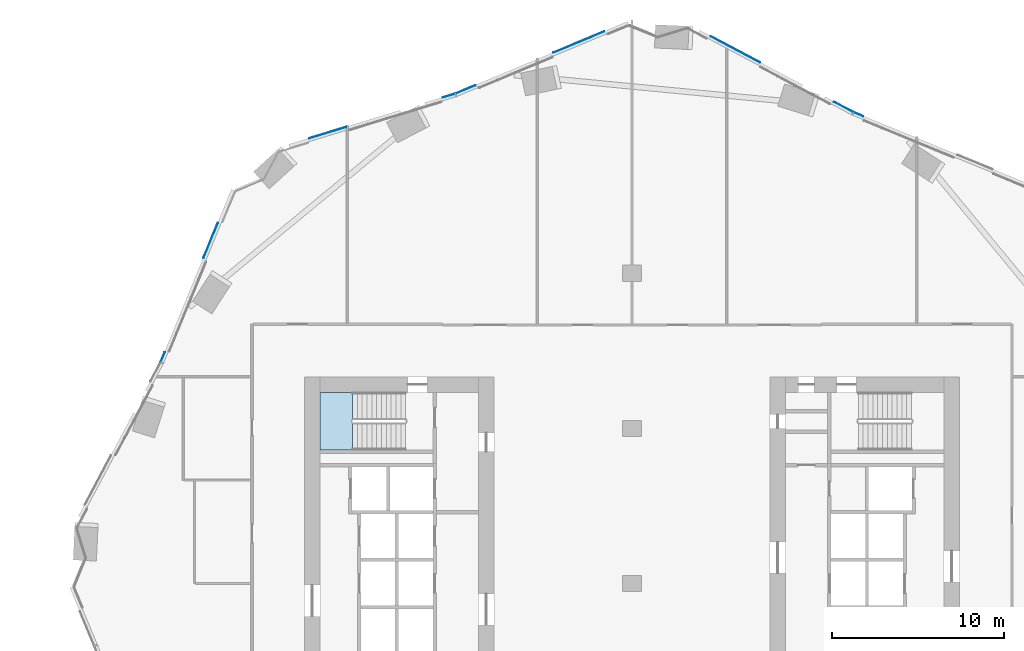
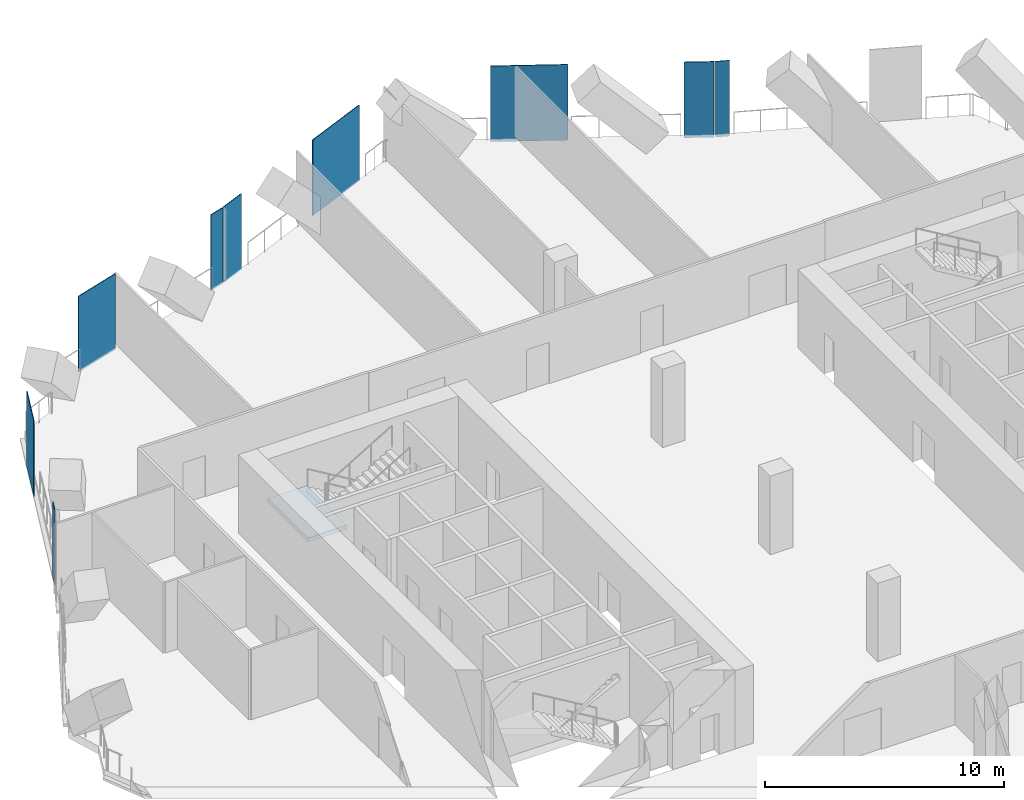
# One storey, part 23 of 34: 9 plates, 1 slab, 6 elements without a shape of their own.
"""IFC4 building model written with IfcOpenShell, lengths in metres."""

from ifc_helpers import new_model, si_unit, direction, frame, origin, origin_2d, place, context, subcontext, project, spatial, polyline, rectangle, outline, extrude, material, layer, layer_set, type_object, element, aggregate, save


model = new_model("IFC4")

# Units and contexts
model_context = context("Model", 3, precision=1e-05, world=origin(), true_north=direction((0.0, 1.0)))
body_context = subcontext(model_context, "Body", "Model", "MODEL_VIEW")
ifc_project = project(units=[si_unit("LENGTHUNIT", "METRE"), si_unit("AREAUNIT", "SQUARE_METRE"), si_unit("VOLUMEUNIT", "CUBIC_METRE"), si_unit("PLANEANGLEUNIT", "RADIAN"), si_unit("MASSUNIT", "GRAM", prefix="KILO")], contexts=[model_context])

# Site, building, storey
site_placement = place(None, origin())
site = spatial("IfcSite", under=ifc_project, at=site_placement, CompositionType="ELEMENT")
building_placement = place(site_placement, origin())
building = spatial("IfcBuilding", under=site, at=building_placement, Name="Orlundy Tower", CompositionType="ELEMENT")
storey_placement = place(building_placement, frame((0.0, 0.0, 98.199951171875)))
storey = spatial("IfcBuildingStorey", under=building, at=storey_placement, Name="L24", CompositionType="ELEMENT", Elevation=98.199951171875)

# Curtain wall, plates
ifc_material_1 = material(Name="Aluminium bronze anodised", Category="aluminium")
curtain_wall_type = type_object("IfcCurtainWallType", Name="CW5 wall", PredefinedType="NOTDEFINED", material=ifc_material_1)
curtain_wall_1_placement = place(storey_placement, origin())
curtain_wall_1 = element("IfcCurtainWall", 1, at=curtain_wall_1_placement, inside=storey, type_object=curtain_wall_type, Name="CW5 run 017", PredefinedType="NOTDEFINED")
ifc_material_2 = material(Name="Tinted glass", Category="glass")
ifc_layer_1 = layer(ifc_material_2, 0.031982421875)
ifc_layer_set_1 = layer_set([ifc_layer_1], Name="CW5 glass panel 32")
plate_type_1 = type_object("IfcPlateType", Name="CW5 glass panel 32", PredefinedType="CURTAIN_PANEL", material=ifc_layer_set_1)
plate_1_placement = place(storey_placement, frame((-27.23046875, 13.1484375, -0.259765625), z_axis=(0.0, 0.0, 1.0), x_axis=(0.379991447074, 0.924990000027, 0.0)))
plate_1 = element("IfcPlate", 2, at=plate_1_placement, type_object=plate_type_1, Name="CW5 panel", PredefinedType="CURTAIN_PANEL", context=body_context, shape_type="SweptSolid", body=[
    extrude(rectangle(XDim=0.598876953125, YDim=0.031982421875, at=origin_2d()), origin(), (0.0, 0.0, 1.0), 3.860107421875),
])
plate_2_placement = place(storey_placement, frame((-24.455078125, 19.904541015625, -0.259765625), z_axis=(0.0, 0.0, 1.0), x_axis=(0.379991447074, 0.924990000027, 0.0)))
plate_2 = element("IfcPlate", 3, at=plate_2_placement, type_object=plate_type_1, Name="CW5 panel", PredefinedType="CURTAIN_PANEL", context=body_context, shape_type="SweptSolid", body=[
    extrude(rectangle(XDim=2.196533203125, YDim=0.031982421875, at=origin_2d()), origin(), (0.0, 0.0, 1.0), 3.860107421875),
])
aggregate(curtain_wall_1, [plate_1, plate_2])

# Curtain wall, plate
curtain_wall_2_placement = place(storey_placement, origin())
curtain_wall_2 = element("IfcCurtainWall", 4, at=curtain_wall_2_placement, inside=storey, type_object=curtain_wall_type, Name="CW5 run 020", PredefinedType="NOTDEFINED")
plate_3_placement = place(storey_placement, frame((-17.651611328125, 26.166748046875, -0.259765625), z_axis=(0.0, 0.0, 1.0), x_axis=(0.95630118131, 0.29238339663, 0.0)))
plate_3 = element("IfcPlate", 5, at=plate_3_placement, type_object=plate_type_1, Name="CW5 panel", PredefinedType="CURTAIN_PANEL", context=body_context, shape_type="SweptSolid", body=[
    extrude(rectangle(XDim=2.24609375, YDim=0.031982421875, at=origin_2d()), origin(), (0.0, 0.0, 1.0), 3.860107421875),
])

# Curtain wall, plates
curtain_wall_3_placement = place(storey_placement, origin())
curtain_wall_3 = element("IfcCurtainWall", 6, at=curtain_wall_3_placement, inside=storey, type_object=curtain_wall_type, Name="CW5 run 021", PredefinedType="NOTDEFINED")
plate_4_placement = place(storey_placement, frame((-9.658447265625, 28.67724609375, -0.259765625), z_axis=(0.0, 0.0, 1.0), x_axis=(0.922768417563, 0.385354963051, 0.0)))
plate_4 = element("IfcPlate", 7, at=plate_4_placement, type_object=plate_type_1, Name="CW5 panel", PredefinedType="CURTAIN_PANEL", context=body_context, shape_type="SweptSolid", body=[
    extrude(rectangle(XDim=1.24169921875, YDim=0.031982421875, at=origin_2d()), origin(), (0.0, 0.0, 1.0), 3.860107421875),
])
plate_5_placement = place(storey_placement, frame((-3.087646484375, 31.42138671875, -0.259765625), z_axis=(0.0, 0.0, 1.0), x_axis=(0.922768417563, 0.385354963051, 0.0)))
plate_5 = element("IfcPlate", 8, at=plate_5_placement, type_object=plate_type_1, Name="CW5 panel", PredefinedType="CURTAIN_PANEL", context=body_context, shape_type="SweptSolid", body=[
    extrude(rectangle(XDim=3.20556640625, YDim=0.031982421875, at=origin_2d()), origin(), (0.0, 0.0, 1.0), 3.860107421875),
])
aggregate(curtain_wall_3, [plate_4, plate_5])

# Curtain wall, plate
curtain_wall_4_placement = place(storey_placement, origin())
curtain_wall_4 = element("IfcCurtainWall", 9, at=curtain_wall_4_placement, inside=storey, type_object=curtain_wall_type, Name="CW5 run 024", PredefinedType="NOTDEFINED")
plate_6_placement = place(storey_placement, frame((5.993896484375, 30.998046875, -0.259765625), z_axis=(0.0, 0.0, 1.0), x_axis=(0.882957055039, -0.46945376658, 0.0)))
plate_6 = element("IfcPlate", 10, at=plate_6_placement, type_object=plate_type_1, Name="CW5 panel", PredefinedType="CURTAIN_PANEL", context=body_context, shape_type="SweptSolid", body=[
    extrude(rectangle(XDim=3.235595703125, YDim=0.031982421875, at=origin_2d()), origin(), (0.0, 0.0, 1.0), 3.860107421875),
])

curtain_wall_5_placement = place(storey_placement, origin())
curtain_wall_5 = element("IfcCurtainWall", 11, at=curtain_wall_5_placement, inside=storey, type_object=curtain_wall_type, Name="CW5 run 025", PredefinedType="NOTDEFINED")
plate_7_placement = place(storey_placement, frame((13.1484375, 27.23046875, -0.259765625), z_axis=(0.0, 0.0, 1.0), x_axis=(0.924990000027, -0.379991447074, 0.0)))
plate_7 = element("IfcPlate", 12, at=plate_7_placement, type_object=plate_type_1, Name="CW5 panel", PredefinedType="CURTAIN_PANEL", context=body_context, shape_type="SweptSolid", body=[
    extrude(rectangle(XDim=0.598876953125, YDim=0.031982421875, at=origin_2d()), origin(), (0.0, 0.0, 1.0), 3.860107421875),
])
aggregate(curtain_wall_5, [plate_7])

# Plate
ifc_material_3 = material(Name="Tinted glass", Category="glass")
ifc_layer_2 = layer(ifc_material_3, 0.031982421875)
ifc_layer_set_2 = layer_set([ifc_layer_2], Name="CW5 vent panel 32")
plate_type_2 = type_object("IfcPlateType", Name="CW5 vent panel 32", PredefinedType="CURTAIN_PANEL", material=ifc_layer_set_2)
plate_8_placement = place(storey_placement, frame((-10.62744140625, 28.314208984375, -0.259765625), z_axis=(0.0, 0.0, 1.0), x_axis=(0.95630118131, 0.29238339663, 0.0)))
plate_8 = element("IfcPlate", 13, at=plate_8_placement, type_object=plate_type_2, Name="CW5 panel", PredefinedType="CURTAIN_PANEL", context=body_context, shape_type="SweptSolid", body=[
    extrude(rectangle(XDim=0.729736328125, YDim=0.031982421875, at=origin_2d()), origin(), (0.0, 0.0, 1.0), 3.860107421875),
])

aggregate(curtain_wall_2, [plate_3, plate_8])

plate_9_placement = place(storey_placement, frame((12.27294921875, 27.65966796875, -0.259765625), z_axis=(0.0, 0.0, 1.0), x_axis=(0.882957055039, -0.46945376658, 0.0)))
plate_9 = element("IfcPlate", 14, at=plate_9_placement, type_object=plate_type_2, Name="CW5 panel", PredefinedType="CURTAIN_PANEL", context=body_context, shape_type="SweptSolid", body=[
    extrude(rectangle(XDim=1.25341796875, YDim=0.031982421875, at=origin_2d()), origin(), (0.0, 0.0, 1.0), 3.860107421875),
])

aggregate(curtain_wall_4, [plate_6, plate_9])

# Stair, slab
ifc_material_4 = material(Name="Concrete C50/60", Category="concrete")
stair_type = type_object("IfcStairType", Name="Exit Stair 24 risers", PredefinedType="HALF_TURN_STAIR", material=ifc_material_4)
stair_placement = place(storey_placement, origin())
stair = element("IfcStair", 15, at=stair_placement, inside=storey, type_object=stair_type, Name="L24 Exit Stair ST-W1", PredefinedType="HALF_TURN_STAIR")
ifc_material_5 = material(Name="Concrete C50/60", Category="concrete")
ifc_layer_3 = layer(ifc_material_5, 0.199951171875)
ifc_layer_set_3 = layer_set([ifc_layer_3], Name="Exit Stair Landing")
slab_type = type_object("IfcSlabType", Name="Exit Stair Landing", PredefinedType="LANDING", material=ifc_layer_set_3)
slab_placement = place(storey_placement, frame((0.0, 0.0, 1.800048828125)))
slab = element("IfcSlab", 16, at=slab_placement, type_object=slab_type, Name="ST-W1 landing 1", PredefinedType="LANDING", context=body_context, shape_type="SweptSolid", body=[
    extrude(outline(polyline([(-16.219970703125, 11.10009765625), (-18.10009765625, 11.10009765625), (-18.10009765625, 7.75), (-16.219970703125, 7.75), (-16.219970703125, 11.10009765625)])), origin(), (0.0, 0.0, 1.0), 0.199951171875),
])
aggregate(stair, [slab])

save(model, "model.ifc")
